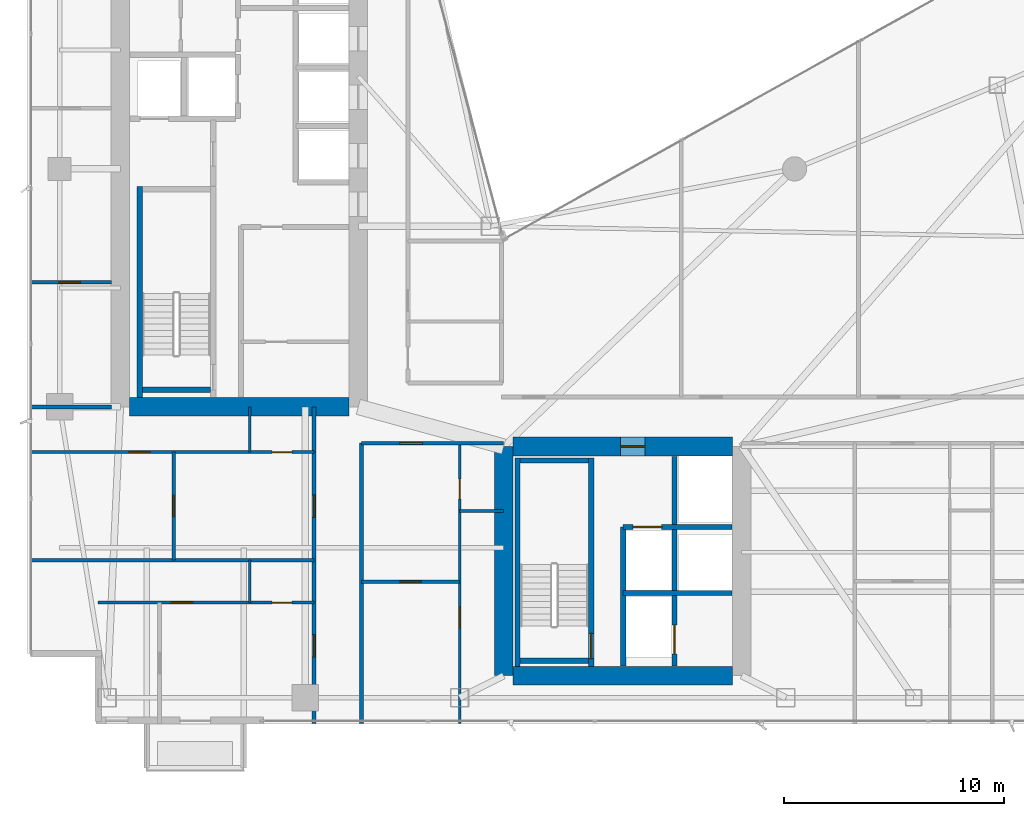
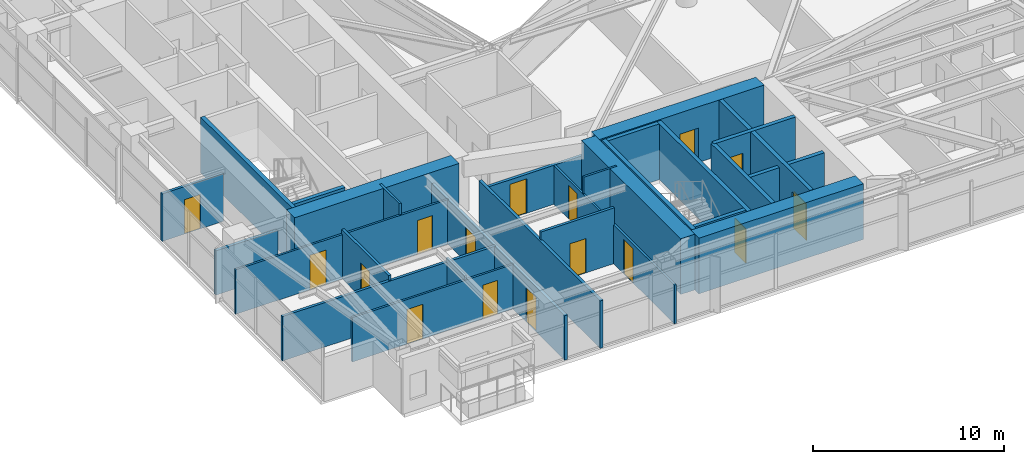
# One storey, part 22 of 29: 28 walls, 16 doors, 16 openings.
"""IFC4 building model written with IfcOpenShell, lengths in metres."""

from ifc_helpers import new_model, si_unit, direction, frame, frame_2d, origin, place, context, subcontext, project, spatial, rectangle, extrude, material, layer, layer_set, type_object, element, fill, save


model = new_model("IFC4")

# Units and contexts
model_context = context("Model", 3, precision=1e-05, world=origin(), true_north=direction((0.0, 1.0)))
body_context = subcontext(model_context, "Body", "Model", "MODEL_VIEW")
ifc_project = project(units=[si_unit("LENGTHUNIT", "METRE"), si_unit("AREAUNIT", "SQUARE_METRE"), si_unit("VOLUMEUNIT", "CUBIC_METRE"), si_unit("PLANEANGLEUNIT", "RADIAN"), si_unit("MASSUNIT", "GRAM", prefix="KILO")], contexts=[model_context])

# Site, building, storey
site_placement = place(None, origin())
site = spatial("IfcSite", under=ifc_project, at=site_placement, CompositionType="ELEMENT")
building_placement = place(site_placement, origin())
building = spatial("IfcBuilding", under=site, at=building_placement, Name="Calvorn Quay Hotel", CompositionType="ELEMENT")
storey_placement = place(building_placement, frame((0.0, 0.0, 120.199951171875)))
storey = spatial("IfcBuildingStorey", under=building, at=storey_placement, Name="L29", CompositionType="ELEMENT", Elevation=120.199951171875)

# Walls
ifc_material_1 = material(Name="Concrete C50", Category="concrete")
ifc_layer_1 = layer(ifc_material_1, 0.85009765625)
ifc_layer_set_1 = layer_set([ifc_layer_1], Name="WL-CORE-850")
wall_type_1 = type_object("IfcWallType", Name="WL-CORE-850", PredefinedType="SHEAR", material=ifc_layer_set_1)
wall_1_placement = place(storey_placement, frame((4.625, 16.800048828125, 0.0), z_axis=(0.0, 0.0, 1.0), x_axis=(1.0, 0.0, 0.0)))
element("IfcWall", 1, at=wall_1_placement, inside=storey, type_object=wall_type_1, Name="West Core Shear Wall S (L29)", PredefinedType="SHEAR", context=body_context, shape_type="SweptSolid", body=[
    extrude(rectangle(XDim=9.949951171875, YDim=0.85009765625, at=frame_2d((4.97509765625, 0.0))), origin(), (0.0, 0.0, 1.0), 3.56005859375),
])
wall_2_placement = place(storey_placement, frame((21.60009765625, 4.60009765625, 0.0), z_axis=(0.0, 0.0, 1.0), x_axis=(0.0, 1.0, 0.0)))
element("IfcWall", 2, at=wall_2_placement, inside=storey, type_object=wall_type_1, Name="East Core Shear Wall W (L29)", PredefinedType="SHEAR", context=body_context, shape_type="SweptSolid", body=[
    extrude(rectangle(XDim=10.39990234375, YDim=0.85009765625, at=frame_2d((5.199951171875, 0.0))), origin(), (0.0, 0.0, 1.0), 3.56005859375),
])

# Wall, opening, door
wall_3_placement = place(storey_placement, frame((22.02490234375, 15.0, 0.0), z_axis=(0.0, 0.0, 1.0), x_axis=(1.0, 0.0, 0.0)))
wall_3 = element("IfcWall", 3, at=wall_3_placement, inside=storey, type_object=wall_type_1, Name="East Core Shear Wall N (L29)", PredefinedType="SHEAR", context=body_context, shape_type="SweptSolid", body=[
    extrude(rectangle(XDim=9.9501953125, YDim=0.85009765625, at=frame_2d((4.97509765625, 0.0))), origin(), (0.0, 0.0, 1.0), 3.56005859375),
])
opening_1_placement = place(wall_3_placement, frame((4.8798828125, 0.0, 0.0)))
opening_1 = element("IfcOpeningElement", 4, at=opening_1_placement, cuts=wall_3, Name="Opening D-L29-FLE", PredefinedType="OPENING", context=body_context, shape_type="SweptSolid", body=[
    extrude(rectangle(XDim=1.10009765625, YDim=2.199951171875, at=frame_2d((0.550048828125, 1.10009765625))), frame((0.0, 0.43505859375, 0.0), z_axis=(0.0, -1.0, 0.0), x_axis=(1.0, 0.0, 0.0)), (0.0, 0.0, 1.0), 0.8701171875),
])
ifc_material_2 = material(Name="Smoke-Sealed Steel Class A Fire Door", Category="steel")
door_type_1 = type_object("IfcDoorType", Name="DR-FFLOBBY-1100", OperationType="NOTDEFINED", PredefinedType="DOOR", material=ifc_material_2)
door_1_placement = place(opening_1_placement, origin())
door_1 = element("IfcDoor", 5, at=door_1_placement, inside=storey, type_object=door_type_1, Name="East Firefighting Lobby Fire Door (L29)", OperationType="SINGLE_SWING_LEFT", OverallHeight=2.199951171875, OverallWidth=1.10009765625, PredefinedType="DOOR", context=body_context, shape_type="SweptSolid", body=[
    extrude(rectangle(XDim=1.10009765625, YDim=2.199951171875, at=frame_2d((0.550048828125, 1.10009765625))), frame((0.0, 0.02490234375, 0.0), z_axis=(0.0, -1.0, 0.0), x_axis=(1.0, 0.0, 0.0)), (0.0, 0.0, 1.0), 0.050048828125),
])
fill(opening_1, door_1)

# Walls
wall_4_placement = place(storey_placement, frame((22.02490234375, 4.60009765625, 0.0), z_axis=(0.0, 0.0, 1.0), x_axis=(1.0, 0.0, 0.0)))
element("IfcWall", 6, at=wall_4_placement, inside=storey, type_object=wall_type_1, Name="East Core Shear Wall S (L29)", PredefinedType="SHEAR", context=body_context, shape_type="SweptSolid", body=[
    extrude(rectangle(XDim=9.9501953125, YDim=0.85009765625, at=frame_2d((4.97509765625, 0.0))), origin(), (0.0, 0.0, 1.0), 3.56005859375),
])
ifc_material_3 = material(Name="Acoustic Fireboard Steel-Stud Partition", Category="steel")
ifc_layer_2 = layer(ifc_material_3, 0.179931640625)
ifc_layer_set_2 = layer_set([ifc_layer_2], Name="WL-CORR-FIRE-180")
wall_type_2 = type_object("IfcWallType", Name="WL-CORR-FIRE-180", PredefinedType="PARTITIONING", material=ifc_layer_set_2)
wall_5_placement = place(storey_placement, frame((0.080078125, 16.800048828125, 0.0), z_axis=(0.0, 0.0, 1.0), x_axis=(1.0, 0.0, 0.0)))
element("IfcWall", 7, at=wall_5_placement, inside=storey, type_object=wall_type_2, Name="Partition Wall L29-WL-WBAY-S-WALL", PredefinedType="PARTITIONING", context=body_context, shape_type="SweptSolid", body=[
    extrude(rectangle(XDim=3.724853515625, YDim=0.179931640625, at=frame_2d((1.8623046875, 0.0))), origin(), (0.0, 0.0, 1.0), 2.840087890625),
])

# Wall, openings, doors
wall_6_placement = place(storey_placement, frame((13.0, 2.43994140625, 0.0), z_axis=(0.0, 0.0, 1.0), x_axis=(0.0, 1.0, 0.0)))
wall_6 = element("IfcWall", 8, at=wall_6_placement, inside=storey, type_object=wall_type_2, Name="Partition Wall L29-WL-CORR-SW-LEG-W", PredefinedType="PARTITIONING", context=body_context, shape_type="SweptSolid", body=[
    extrude(rectangle(XDim=14.360107421875, YDim=0.179931640625, at=frame_2d((7.18017578125, 0.0))), origin(), (0.0, 0.0, 1.0), 2.840087890625),
])
opening_2_placement = place(wall_6_placement, frame((3.010009765625, 0.0, 0.0)))
opening_2 = element("IfcOpeningElement", 9, at=opening_2_placement, cuts=wall_6, Name="Opening D-L29-U01", PredefinedType="OPENING", context=body_context, shape_type="SweptSolid", body=[
    extrude(rectangle(XDim=1.02001953125, YDim=2.199951171875, at=frame_2d((0.510009765625, 1.10009765625))), frame((0.0, 0.099853515625, 0.0), z_axis=(0.0, -1.0, 0.0), x_axis=(1.0, 0.0, 0.0)), (0.0, 0.0, 1.0), 0.199951171875),
])
opening_3_placement = place(wall_6_placement, frame((9.35009765625, 0.0, 0.0)))
opening_3 = element("IfcOpeningElement", 10, at=opening_3_placement, cuts=wall_6, Name="Opening D-L29-U02", PredefinedType="OPENING", context=body_context, shape_type="SweptSolid", body=[
    extrude(rectangle(XDim=1.02001953125, YDim=2.199951171875, at=frame_2d((0.510009765625, 1.10009765625))), frame((0.0, 0.099853515625, 0.0), z_axis=(0.0, -1.0, 0.0), x_axis=(1.0, 0.0, 0.0)), (0.0, 0.0, 1.0), 0.199951171875),
])
ifc_material_4 = material(Name="Solid-Core Walnut Veneer Hotel Fire Door")
door_type_2 = type_object("IfcDoorType", Name="DR-GUEST-ENTRY-1020", OperationType="NOTDEFINED", PredefinedType="DOOR", material=ifc_material_4)
door_2_placement = place(opening_2_placement, origin())
door_2 = element("IfcDoor", 11, at=door_2_placement, inside=storey, type_object=door_type_2, Name="South-West Unit Door U01 (L29)", OperationType="SINGLE_SWING_LEFT", OverallHeight=2.199951171875, OverallWidth=1.02001953125, PredefinedType="DOOR", context=body_context, shape_type="SweptSolid", body=[
    extrude(rectangle(XDim=1.02001953125, YDim=2.199951171875, at=frame_2d((0.510009765625, 1.10009765625))), frame((0.0, 0.02490234375, 0.0), z_axis=(0.0, -1.0, 0.0), x_axis=(1.0, 0.0, 0.0)), (0.0, 0.0, 1.0), 0.050048828125),
])
fill(opening_2, door_2)
door_3_placement = place(opening_3_placement, origin())
door_3 = element("IfcDoor", 12, at=door_3_placement, inside=storey, type_object=door_type_2, Name="South-West Unit Door U02 (L29)", OperationType="SINGLE_SWING_RIGHT", OverallHeight=2.199951171875, OverallWidth=1.02001953125, PredefinedType="DOOR", context=body_context, shape_type="SweptSolid", body=[
    extrude(rectangle(XDim=1.02001953125, YDim=2.199951171875, at=frame_2d((0.510009765625, 1.10009765625))), frame((0.0, 0.02490234375, 0.0), z_axis=(0.0, -1.0, 0.0), x_axis=(1.0, 0.0, 0.0)), (0.0, 0.0, 1.0), 0.050048828125),
])
fill(opening_3, door_3)

# Wall
wall_7_placement = place(storey_placement, frame((15.14990234375, 2.43994140625, 0.0), z_axis=(0.0, 0.0, 1.0), x_axis=(0.0, 1.0, 0.0)))
element("IfcWall", 13, at=wall_7_placement, inside=storey, type_object=wall_type_2, Name="Partition Wall L29-WL-CORR-SW-W", PredefinedType="PARTITIONING", context=body_context, shape_type="SweptSolid", body=[
    extrude(rectangle(XDim=12.7099609375, YDim=0.179931640625, at=frame_2d((6.35498046875, 0.0))), origin(), (0.0, 0.0, 1.0), 3.0400390625),
])

# Wall, opening, door
wall_8_placement = place(storey_placement, frame((15.14990234375, 15.14990234375, 0.0), z_axis=(0.0, 0.0, 1.0), x_axis=(1.0, 0.0, 0.0)))
wall_8 = element("IfcWall", 14, at=wall_8_placement, inside=storey, type_object=wall_type_2, Name="Partition Wall L29-WL-SC-CORR-S", PredefinedType="PARTITIONING", context=body_context, shape_type="SweptSolid", body=[
    extrude(rectangle(XDim=6.4501953125, YDim=0.179931640625, at=frame_2d((3.22509765625, 0.0))), origin(), (0.0, 0.0, 1.0), 2.489990234375),
])
opening_4_placement = place(wall_8_placement, frame((1.739990234375, 0.0, 0.0)))
opening_4 = element("IfcOpeningElement", 15, at=opening_4_placement, cuts=wall_8, Name="Opening D-L29-U03", PredefinedType="OPENING", context=body_context, shape_type="SweptSolid", body=[
    extrude(rectangle(XDim=1.02001953125, YDim=2.199951171875, at=frame_2d((0.510009765625, 1.10009765625))), frame((0.0, 0.099853515625, 0.0), z_axis=(0.0, -1.0, 0.0), x_axis=(1.0, 0.0, 0.0)), (0.0, 0.0, 1.0), 0.199951171875),
])
door_4_placement = place(opening_4_placement, origin())
door_4 = element("IfcDoor", 16, at=door_4_placement, inside=storey, type_object=door_type_2, Name="Harbour Central Unit Door (L29)", OperationType="SINGLE_SWING_LEFT", OverallHeight=2.199951171875, OverallWidth=1.02001953125, PredefinedType="DOOR", context=body_context, shape_type="SweptSolid", body=[
    extrude(rectangle(XDim=1.02001953125, YDim=2.199951171875, at=frame_2d((0.510009765625, 1.10009765625))), frame((0.0, 0.02490234375, 0.0), z_axis=(0.0, -1.0, 0.0), x_axis=(1.0, 0.0, 0.0)), (0.0, 0.0, 1.0), 0.050048828125),
])
fill(opening_4, door_4)

# Wall
ifc_material_5 = material(Name="Moisture-Resistant Tile-Backed Partition")
ifc_layer_3 = layer(ifc_material_5, 0.125)
ifc_layer_set_3 = layer_set([ifc_layer_3], Name="WL-ENSUITE-125")
wall_type_3 = type_object("IfcWallType", Name="WL-ENSUITE-125", PredefinedType="PARTITIONING", material=ifc_layer_set_3)
wall_9_placement = place(storey_placement, frame((10.080078125, 7.919921875, 0.0), z_axis=(0.0, 0.0, 1.0), x_axis=(0.0, 1.0, 0.0)))
element("IfcWall", 17, at=wall_9_placement, inside=storey, type_object=wall_type_3, Name="Partition Wall L29-WL-U01-BDV", PredefinedType="PARTITIONING", context=body_context, shape_type="SweptSolid", body=[
    extrude(rectangle(XDim=1.93017578125, YDim=0.125, at=frame_2d((0.965087890625, 0.0))), origin(), (0.0, 0.0, 1.0), 3.090087890625),
])

# Wall, openings, doors
wall_10_placement = place(storey_placement, frame((3.199951171875, 7.919921875, 0.0), z_axis=(0.0, 0.0, 1.0), x_axis=(1.0, 0.0, 0.0)))
wall_10 = element("IfcWall", 18, at=wall_10_placement, inside=storey, type_object=wall_type_3, Name="Partition Wall L29-WL-U01-BH", PredefinedType="PARTITIONING", context=body_context, shape_type="SweptSolid", body=[
    extrude(rectangle(XDim=9.800048828125, YDim=0.125, at=frame_2d((4.89990234375, 0.0))), origin(), (0.0, 0.0, 1.0), 2.840087890625),
])
opening_5_placement = place(wall_10_placement, frame((3.320068359375, 0.0, 0.0)))
opening_5 = element("IfcOpeningElement", 19, at=opening_5_placement, cuts=wall_10, Name="Opening D-L29-S01", PredefinedType="OPENING", context=body_context, shape_type="SweptSolid", body=[
    extrude(rectangle(XDim=0.9599609375, YDim=2.199951171875, at=frame_2d((0.47998046875, 1.10009765625))), frame((0.0, 0.072509765625, 0.0), z_axis=(0.0, -1.0, 0.0), x_axis=(1.0, 0.0, 0.0)), (0.0, 0.0, 1.0), 0.14501953125),
])
opening_6_placement = place(wall_10_placement, frame((7.889892578125, 0.0, 0.0)))
opening_6 = element("IfcOpeningElement", 20, at=opening_6_placement, cuts=wall_10, Name="Opening D-L29-E01", PredefinedType="OPENING", context=body_context, shape_type="SweptSolid", body=[
    extrude(rectangle(XDim=0.89990234375, YDim=2.14990234375, at=frame_2d((0.449951171875, 1.074951171875))), frame((0.0, 0.072509765625, 0.0), z_axis=(0.0, -1.0, 0.0), x_axis=(1.0, 0.0, 0.0)), (0.0, 0.0, 1.0), 0.14501953125),
])
ifc_material_6 = material(Name="Moisture-Sealed Timber En-Suite Door", Category="wood")
door_type_3 = type_object("IfcDoorType", Name="DR-ENSUITE-900", OperationType="NOTDEFINED", PredefinedType="DOOR", material=ifc_material_6)
door_5_placement = place(opening_6_placement, origin())
door_5 = element("IfcDoor", 21, at=door_5_placement, inside=storey, type_object=door_type_3, Name="En-Suite Door 01", OperationType="SINGLE_SWING_RIGHT", OverallHeight=2.14990234375, OverallWidth=0.89990234375, PredefinedType="DOOR", context=body_context, shape_type="SweptSolid", body=[
    extrude(rectangle(XDim=0.89990234375, YDim=2.14990234375, at=frame_2d((0.449951171875, 1.074951171875))), frame((0.0, 0.02490234375, 0.0), z_axis=(0.0, -1.0, 0.0), x_axis=(1.0, 0.0, 0.0)), (0.0, 0.0, 1.0), 0.050048828125),
])
fill(opening_6, door_5)
ifc_material_7 = material(Name="Solid Timber Internal Suite Door", Category="wood")
door_type_4 = type_object("IfcDoorType", Name="DR-SUITE-INT-960", OperationType="NOTDEFINED", PredefinedType="DOOR", material=ifc_material_7)
door_6_placement = place(opening_5_placement, origin())
door_6 = element("IfcDoor", 22, at=door_6_placement, inside=storey, type_object=door_type_4, Name="Harbour Tea Room Door 01", OperationType="SINGLE_SWING_LEFT", OverallHeight=2.199951171875, OverallWidth=0.9599609375, PredefinedType="DOOR", context=body_context, shape_type="SweptSolid", body=[
    extrude(rectangle(XDim=0.9599609375, YDim=2.199951171875, at=frame_2d((0.47998046875, 1.10009765625))), frame((0.0, 0.02490234375, 0.0), z_axis=(0.0, -1.0, 0.0), x_axis=(1.0, 0.0, 0.0)), (0.0, 0.0, 1.0), 0.050048828125),
])
fill(opening_5, door_6)

# Wall
wall_11_placement = place(storey_placement, frame((10.080078125, 14.75, 0.0), z_axis=(0.0, 0.0, 1.0), x_axis=(0.0, 1.0, 0.0)))
element("IfcWall", 23, at=wall_11_placement, inside=storey, type_object=wall_type_3, Name="Partition Wall L29-WL-U02-BDV", PredefinedType="PARTITIONING", context=body_context, shape_type="SweptSolid", body=[
    extrude(rectangle(XDim=2.050048828125, YDim=0.125, at=frame_2d((1.02490234375, 0.0))), origin(), (0.0, 0.0, 1.0), 3.56005859375),
])

# Wall, openings, doors
wall_12_placement = place(storey_placement, frame((0.080078125, 14.75, 0.0), z_axis=(0.0, 0.0, 1.0), x_axis=(1.0, 0.0, 0.0)))
wall_12 = element("IfcWall", 24, at=wall_12_placement, inside=storey, type_object=wall_type_3, Name="Partition Wall L29-WL-U02-BH", PredefinedType="PARTITIONING", context=body_context, shape_type="SweptSolid", body=[
    extrude(rectangle(XDim=12.919921875, YDim=0.125, at=frame_2d((6.4599609375, 0.0))), origin(), (0.0, 0.0, 1.0), 2.840087890625),
])
opening_7_placement = place(wall_12_placement, frame((4.52001953125, 0.0, 0.0)))
opening_7 = element("IfcOpeningElement", 25, at=opening_7_placement, cuts=wall_12, Name="Opening D-L29-S02", PredefinedType="OPENING", context=body_context, shape_type="SweptSolid", body=[
    extrude(rectangle(XDim=0.9599609375, YDim=2.199951171875, at=frame_2d((0.47998046875, 1.10009765625))), frame((0.0, 0.072509765625, 0.0), z_axis=(0.0, -1.0, 0.0), x_axis=(1.0, 0.0, 0.0)), (0.0, 0.0, 1.0), 0.14501953125),
])
opening_8_placement = place(wall_12_placement, frame((11.010009765625, 0.0, 0.0)))
opening_8 = element("IfcOpeningElement", 26, at=opening_8_placement, cuts=wall_12, Name="Opening D-L29-E02", PredefinedType="OPENING", context=body_context, shape_type="SweptSolid", body=[
    extrude(rectangle(XDim=0.89990234375, YDim=2.14990234375, at=frame_2d((0.449951171875, 1.074951171875))), frame((0.0, 0.072509765625, 0.0), z_axis=(0.0, -1.0, 0.0), x_axis=(1.0, 0.0, 0.0)), (0.0, 0.0, 1.0), 0.14501953125),
])
door_7_placement = place(opening_8_placement, origin())
door_7 = element("IfcDoor", 27, at=door_7_placement, inside=storey, type_object=door_type_3, Name="En-Suite Door 02", OperationType="SINGLE_SWING_RIGHT", OverallHeight=2.14990234375, OverallWidth=0.89990234375, PredefinedType="DOOR", context=body_context, shape_type="SweptSolid", body=[
    extrude(rectangle(XDim=0.89990234375, YDim=2.14990234375, at=frame_2d((0.449951171875, 1.074951171875))), frame((0.0, 0.02490234375, 0.0), z_axis=(0.0, -1.0, 0.0), x_axis=(1.0, 0.0, 0.0)), (0.0, 0.0, 1.0), 0.050048828125),
])
fill(opening_8, door_7)
door_8_placement = place(opening_7_placement, origin())
door_8 = element("IfcDoor", 28, at=door_8_placement, inside=storey, type_object=door_type_4, Name="Harbour Tea Room Door 02", OperationType="SINGLE_SWING_LEFT", OverallHeight=2.199951171875, OverallWidth=0.9599609375, PredefinedType="DOOR", context=body_context, shape_type="SweptSolid", body=[
    extrude(rectangle(XDim=0.9599609375, YDim=2.199951171875, at=frame_2d((0.47998046875, 1.10009765625))), frame((0.0, 0.02490234375, 0.0), z_axis=(0.0, -1.0, 0.0), x_axis=(1.0, 0.0, 0.0)), (0.0, 0.0, 1.0), 0.050048828125),
])
fill(opening_7, door_8)

# Wall
wall_13_placement = place(storey_placement, frame((19.60009765625, 12.070068359375, 0.0), z_axis=(0.0, 0.0, 1.0), x_axis=(1.0, 0.0, 0.0)))
element("IfcWall", 29, at=wall_13_placement, inside=storey, type_object=wall_type_3, Name="Partition Wall L29-WL-U03-BDV", PredefinedType="PARTITIONING", context=body_context, shape_type="SweptSolid", body=[
    extrude(rectangle(XDim=2.0, YDim=0.125, at=frame_2d((1.0, 0.0))), origin(), (0.0, 0.0, 1.0), 3.56005859375),
])

# Wall, openings, doors
wall_14_placement = place(storey_placement, frame((19.60009765625, 2.43994140625, 0.0), z_axis=(0.0, 0.0, 1.0), x_axis=(0.0, 1.0, 0.0)))
wall_14 = element("IfcWall", 30, at=wall_14_placement, inside=storey, type_object=wall_type_3, Name="Partition Wall L29-WL-U03-BV", PredefinedType="PARTITIONING", context=body_context, shape_type="SweptSolid", body=[
    extrude(rectangle(XDim=12.7099609375, YDim=0.125, at=frame_2d((6.35498046875, 0.0))), origin(), (0.0, 0.0, 1.0), 2.489990234375),
])
opening_9_placement = place(wall_14_placement, frame((4.340087890625, 0.0, 0.0)))
opening_9 = element("IfcOpeningElement", 31, at=opening_9_placement, cuts=wall_14, Name="Opening D-L29-S03", PredefinedType="OPENING", context=body_context, shape_type="SweptSolid", body=[
    extrude(rectangle(XDim=0.9599609375, YDim=2.199951171875, at=frame_2d((0.47998046875, 1.10009765625))), frame((0.0, 0.072509765625, 0.0), z_axis=(0.0, -1.0, 0.0), x_axis=(1.0, 0.0, 0.0)), (0.0, 0.0, 1.0), 0.14501953125),
])
opening_10_placement = place(wall_14_placement, frame((10.179931640625, 0.0, 0.0)))
opening_10 = element("IfcOpeningElement", 32, at=opening_10_placement, cuts=wall_14, Name="Opening D-L29-E03", PredefinedType="OPENING", context=body_context, shape_type="SweptSolid", body=[
    extrude(rectangle(XDim=0.89990234375, YDim=2.14990234375, at=frame_2d((0.449951171875, 1.074951171875))), frame((0.0, 0.072509765625, 0.0), z_axis=(0.0, -1.0, 0.0), x_axis=(1.0, 0.0, 0.0)), (0.0, 0.0, 1.0), 0.14501953125),
])
door_9_placement = place(opening_10_placement, origin())
door_9 = element("IfcDoor", 33, at=door_9_placement, inside=storey, type_object=door_type_3, Name="En-Suite Door 03", OperationType="SINGLE_SWING_RIGHT", OverallHeight=2.14990234375, OverallWidth=0.89990234375, PredefinedType="DOOR", context=body_context, shape_type="SweptSolid", body=[
    extrude(rectangle(XDim=0.89990234375, YDim=2.14990234375, at=frame_2d((0.449951171875, 1.074951171875))), frame((0.0, 0.02490234375, 0.0), z_axis=(0.0, -1.0, 0.0), x_axis=(1.0, 0.0, 0.0)), (0.0, 0.0, 1.0), 0.050048828125),
])
fill(opening_10, door_9)
door_10_placement = place(opening_9_placement, origin())
door_10 = element("IfcDoor", 34, at=door_10_placement, inside=storey, type_object=door_type_4, Name="Harbour Tea Room Door 03", OperationType="SINGLE_SWING_LEFT", OverallHeight=2.199951171875, OverallWidth=0.9599609375, PredefinedType="DOOR", context=body_context, shape_type="SweptSolid", body=[
    extrude(rectangle(XDim=0.9599609375, YDim=2.199951171875, at=frame_2d((0.47998046875, 1.10009765625))), frame((0.0, 0.02490234375, 0.0), z_axis=(0.0, -1.0, 0.0), x_axis=(1.0, 0.0, 0.0)), (0.0, 0.0, 1.0), 0.050048828125),
])
fill(opening_9, door_10)

# Wall, opening, door
ifc_material_8 = material(Name="Double-Stud Acoustic Gypsum Partition")
ifc_layer_4 = layer(ifc_material_8, 0.159912109375)
ifc_layer_set_4 = layer_set([ifc_layer_4], Name="WL-INTERSUITE-160")
wall_type_4 = type_object("IfcWallType", Name="WL-INTERSUITE-160", PredefinedType="PARTITIONING", material=ifc_layer_set_4)
wall_15_placement = place(storey_placement, frame((0.080078125, 22.449951171875, 0.0), z_axis=(0.0, 0.0, 1.0), x_axis=(1.0, 0.0, 0.0)))
wall_15 = element("IfcWall", 35, at=wall_15_placement, inside=storey, type_object=wall_type_4, Name="Partition Wall L29-WL-WBAY-DIVA", PredefinedType="PARTITIONING", context=body_context, shape_type="SweptSolid", body=[
    extrude(rectangle(XDim=3.724853515625, YDim=0.159912109375, at=frame_2d((1.8623046875, 0.0))), origin(), (0.0, 0.0, 1.0), 3.0400390625),
])
opening_11_placement = place(wall_15_placement, frame((1.35009765625, 0.0, 0.0)))
opening_11 = element("IfcOpeningElement", 36, at=opening_11_placement, cuts=wall_15, Name="Opening D-L29-WBA", PredefinedType="OPENING", context=body_context, shape_type="SweptSolid", body=[
    extrude(rectangle(XDim=0.9599609375, YDim=2.199951171875, at=frame_2d((0.47998046875, 1.10009765625))), frame((0.0, 0.08984375, 0.0), z_axis=(0.0, -1.0, 0.0), x_axis=(1.0, 0.0, 0.0)), (0.0, 0.0, 1.0), 0.179931640625),
])
door_11_placement = place(opening_11_placement, origin())
door_11 = element("IfcDoor", 37, at=door_11_placement, inside=storey, type_object=door_type_4, Name="West South Connecting Door (L29)", OperationType="SINGLE_SWING_LEFT", OverallHeight=2.199951171875, OverallWidth=0.9599609375, PredefinedType="DOOR", context=body_context, shape_type="SweptSolid", body=[
    extrude(rectangle(XDim=0.9599609375, YDim=2.199951171875, at=frame_2d((0.47998046875, 1.10009765625))), frame((0.0, 0.02490234375, 0.0), z_axis=(0.0, -1.0, 0.0), x_axis=(1.0, 0.0, 0.0)), (0.0, 0.0, 1.0), 0.050048828125),
])
fill(opening_11, door_11)

wall_16_placement = place(storey_placement, frame((6.6201171875, 9.85009765625, 0.0), z_axis=(0.0, 0.0, 1.0), x_axis=(0.0, 1.0, 0.0)))
wall_16 = element("IfcWall", 38, at=wall_16_placement, inside=storey, type_object=wall_type_4, Name="Partition Wall L29-WL-U02-MSP", PredefinedType="PARTITIONING", context=body_context, shape_type="SweptSolid", body=[
    extrude(rectangle(XDim=4.89990234375, YDim=0.159912109375, at=frame_2d((2.449951171875, 0.0))), origin(), (0.0, 0.0, 1.0), 3.14013671875),
])
opening_12_placement = place(wall_16_placement, frame((1.969970703125, 0.0, 0.0)))
opening_12 = element("IfcOpeningElement", 39, at=opening_12_placement, cuts=wall_16, Name="Opening D-L29-M02", PredefinedType="OPENING", context=body_context, shape_type="SweptSolid", body=[
    extrude(rectangle(XDim=0.9599609375, YDim=2.199951171875, at=frame_2d((0.47998046875, 1.10009765625))), frame((0.0, 0.08984375, 0.0), z_axis=(0.0, -1.0, 0.0), x_axis=(1.0, 0.0, 0.0)), (0.0, 0.0, 1.0), 0.179931640625),
])
door_12_placement = place(opening_12_placement, origin())
door_12 = element("IfcDoor", 40, at=door_12_placement, inside=storey, type_object=door_type_4, Name="Suite Bedroom Door 02", OperationType="SINGLE_SWING_LEFT", OverallHeight=2.199951171875, OverallWidth=0.9599609375, PredefinedType="DOOR", context=body_context, shape_type="SweptSolid", body=[
    extrude(rectangle(XDim=0.9599609375, YDim=2.199951171875, at=frame_2d((0.47998046875, 1.10009765625))), frame((0.0, 0.02490234375, 0.0), z_axis=(0.0, -1.0, 0.0), x_axis=(1.0, 0.0, 0.0)), (0.0, 0.0, 1.0), 0.050048828125),
])
fill(opening_12, door_12)

# Wall
wall_17_placement = place(storey_placement, frame((0.080078125, 9.85009765625, 0.0), z_axis=(0.0, 0.0, 1.0), x_axis=(1.0, 0.0, 0.0)))
element("IfcWall", 41, at=wall_17_placement, inside=storey, type_object=wall_type_4, Name="Partition Wall L29-WL-SW-DIV-1", PredefinedType="PARTITIONING", context=body_context, shape_type="SweptSolid", body=[
    extrude(rectangle(XDim=12.919921875, YDim=0.159912109375, at=frame_2d((6.4599609375, 0.0))), origin(), (0.0, 0.0, 1.0), 2.840087890625),
])

# Wall, opening, door
wall_18_placement = place(storey_placement, frame((15.14990234375, 8.8701171875, 0.0), z_axis=(0.0, 0.0, 1.0), x_axis=(1.0, 0.0, 0.0)))
wall_18 = element("IfcWall", 42, at=wall_18_placement, inside=storey, type_object=wall_type_4, Name="Partition Wall L29-WL-U03-MSP", PredefinedType="PARTITIONING", context=body_context, shape_type="SweptSolid", body=[
    extrude(rectangle(XDim=4.4501953125, YDim=0.159912109375, at=frame_2d((2.22509765625, 0.0))), origin(), (0.0, 0.0, 1.0), 3.56005859375),
])
opening_13_placement = place(wall_18_placement, frame((1.75, 0.0, 0.0)))
opening_13 = element("IfcOpeningElement", 43, at=opening_13_placement, cuts=wall_18, Name="Opening D-L29-M03", PredefinedType="OPENING", context=body_context, shape_type="SweptSolid", body=[
    extrude(rectangle(XDim=0.9599609375, YDim=2.199951171875, at=frame_2d((0.47998046875, 1.10009765625))), frame((0.0, 0.08984375, 0.0), z_axis=(0.0, -1.0, 0.0), x_axis=(1.0, 0.0, 0.0)), (0.0, 0.0, 1.0), 0.179931640625),
])
door_13_placement = place(opening_13_placement, origin())
door_13 = element("IfcDoor", 44, at=door_13_placement, inside=storey, type_object=door_type_4, Name="Suite Bedroom Door 03", OperationType="SINGLE_SWING_LEFT", OverallHeight=2.199951171875, OverallWidth=0.9599609375, PredefinedType="DOOR", context=body_context, shape_type="SweptSolid", body=[
    extrude(rectangle(XDim=0.9599609375, YDim=2.199951171875, at=frame_2d((0.47998046875, 1.10009765625))), frame((0.0, 0.02490234375, 0.0), z_axis=(0.0, -1.0, 0.0), x_axis=(1.0, 0.0, 0.0)), (0.0, 0.0, 1.0), 0.050048828125),
])
fill(opening_13, door_13)

# Walls
ifc_material_9 = material(Name="Concrete C40", Category="concrete")
ifc_layer_5 = layer(ifc_material_9, 0.239990234375)
ifc_layer_set_5 = layer_set([ifc_layer_5], Name="WL-SHAFT-240")
wall_type_5 = type_object("IfcWallType", Name="WL-SHAFT-240", PredefinedType="SOLIDWALL", material=ifc_layer_set_5)
wall_19_placement = place(storey_placement, frame((5.080078125, 17.22509765625, 0.0), z_axis=(0.0, 0.0, 1.0), x_axis=(0.0, 1.0, 0.0)))
element("IfcWall", 45, at=wall_19_placement, inside=storey, type_object=wall_type_5, Name="Stair STW Shaft Wall W (L29)", PredefinedType="SOLIDWALL", context=body_context, shape_type="SweptSolid", body=[
    extrude(rectangle(XDim=9.56494140625, YDim=0.239990234375, at=frame_2d((4.782470703125, 0.0))), origin(), (0.0, 0.0, 1.0), 3.56005859375),
])
wall_20_placement = place(storey_placement, frame((5.199951171875, 17.580078125, 0.0), z_axis=(0.0, 0.0, 1.0), x_axis=(1.0, 0.0, 0.0)))
element("IfcWall", 46, at=wall_20_placement, inside=storey, type_object=wall_type_5, Name="Stair STW Shaft Wall S (L29)", PredefinedType="SOLIDWALL", context=body_context, shape_type="SweptSolid", body=[
    extrude(rectangle(XDim=3.10009765625, YDim=0.239990234375, at=frame_2d((1.550048828125, 0.0))), origin(), (0.0, 0.0, 1.0), 3.56005859375),
])
wall_21_placement = place(storey_placement, frame((22.22998046875, 5.02490234375, 0.0), z_axis=(0.0, 0.0, 1.0), x_axis=(0.0, 1.0, 0.0)))
element("IfcWall", 47, at=wall_21_placement, inside=storey, type_object=wall_type_5, Name="Stair STE Shaft Wall W (L29)", PredefinedType="SOLIDWALL", context=body_context, shape_type="SweptSolid", body=[
    extrude(rectangle(XDim=9.465087890625, YDim=0.239990234375, at=frame_2d((4.732421875, 0.0))), origin(), (0.0, 0.0, 1.0), 3.56005859375),
])

# Wall, opening, door
wall_22_placement = place(storey_placement, frame((25.570068359375, 5.02490234375, 0.0), z_axis=(0.0, 0.0, 1.0), x_axis=(0.0, 1.0, 0.0)))
wall_22 = element("IfcWall", 48, at=wall_22_placement, inside=storey, type_object=wall_type_5, Name="Stair STE Shaft Wall E (L29)", PredefinedType="SOLIDWALL", context=body_context, shape_type="SweptSolid", body=[
    extrude(rectangle(XDim=9.465087890625, YDim=0.239990234375, at=frame_2d((4.732421875, 0.0))), origin(), (0.0, 0.0, 1.0), 3.56005859375),
])
opening_14_placement = place(wall_22_placement, frame((0.35009765625, 0.0, 0.0)))
opening_14 = element("IfcOpeningElement", 49, at=opening_14_placement, cuts=wall_22, Name="Opening D-L29-STE", PredefinedType="OPENING", context=body_context, shape_type="SweptSolid", body=[
    extrude(rectangle(XDim=1.14990234375, YDim=2.199951171875, at=frame_2d((0.574951171875, 1.10009765625))), frame((0.0, 0.1298828125, 0.0), z_axis=(0.0, -1.0, 0.0), x_axis=(1.0, 0.0, 0.0)), (0.0, 0.0, 1.0), 0.260009765625),
])
ifc_material_10 = material(Name="Galvanised Steel Class A Fire Door", Category="steel")
door_type_5 = type_object("IfcDoorType", Name="DR-STAIR-SMOKE-1150", OperationType="NOTDEFINED", PredefinedType="DOOR", material=ifc_material_10)
door_14_placement = place(opening_14_placement, origin())
door_14 = element("IfcDoor", 50, at=door_14_placement, inside=storey, type_object=door_type_5, Name="Stair ST-E Fire Door (L29)", OperationType="SINGLE_SWING_RIGHT", OverallHeight=2.199951171875, OverallWidth=1.14990234375, PredefinedType="DOOR", context=body_context, shape_type="SweptSolid", body=[
    extrude(rectangle(XDim=1.14990234375, YDim=2.199951171875, at=frame_2d((0.574951171875, 1.10009765625))), frame((0.0, 0.02490234375, 0.0), z_axis=(0.0, -1.0, 0.0), x_axis=(1.0, 0.0, 0.0)), (0.0, 0.0, 1.0), 0.050048828125),
])
fill(opening_14, door_14)

# Walls
for number, where, z_axis, x_axis, name in (
    (51, (22.35009765625, 5.280029296875, 0.0), (0.0, 0.0, 1.0), (1.0, 0.0, 0.0), "Stair STE Shaft Wall S (L29)"),
    (52, (22.35009765625, 14.3701171875, 0.0), (0.0, 0.0, 1.0), (1.0, 0.0, 0.0), "Stair STE Shaft Wall N (L29)"),
):
    element("IfcWall", number, at=place(storey_placement, frame(where, z_axis=z_axis, x_axis=x_axis)), inside=storey, type_object=wall_type_5, Name=name, PredefinedType="SOLIDWALL", context=body_context, shape_type="SweptSolid", body=[
        extrude(rectangle(XDim=3.099853515625, YDim=0.239990234375, at=frame_2d((1.5498046875, 0.0))), origin(), (0.0, 0.0, 1.0), 3.56005859375),
    ])
wall_23_placement = place(storey_placement, frame((27.02001953125, 5.044921875, 0.0), z_axis=(0.0, 0.0, 1.0), x_axis=(0.0, 1.0, 0.0)))
element("IfcWall", 53, at=wall_23_placement, inside=storey, type_object=wall_type_5, Name="Partition Wall L29-WL-CWE-SH-W", PredefinedType="SOLIDWALL", context=body_context, shape_type="SweptSolid", body=[
    extrude(rectangle(XDim=6.30517578125, YDim=0.239990234375, at=frame_2d((3.152587890625, 0.0))), origin(), (0.0, 0.0, 1.0), 3.56005859375),
])

# Wall, opening, door
wall_24_placement = place(storey_placement, frame((27.02001953125, 11.35009765625, 0.0), z_axis=(0.0, 0.0, 1.0), x_axis=(1.0, 0.0, 0.0)))
wall_24 = element("IfcWall", 54, at=wall_24_placement, inside=storey, type_object=wall_type_5, Name="Partition Wall L29-WL-CWE-FFL-S", PredefinedType="SOLIDWALL", context=body_context, shape_type="SweptSolid", body=[
    extrude(rectangle(XDim=4.93505859375, YDim=0.239990234375, at=frame_2d((2.467529296875, 0.0))), origin(), (0.0, 0.0, 1.0), 3.56005859375),
])
opening_15_placement = place(wall_24_placement, frame((0.449951171875, 0.0, 0.0)))
opening_15 = element("IfcOpeningElement", 55, at=opening_15_placement, cuts=wall_24, Name="Opening LD-L29-FLE1", PredefinedType="OPENING", context=body_context, shape_type="SweptSolid", body=[
    extrude(rectangle(XDim=1.300048828125, YDim=2.35009765625, at=frame_2d((0.64990234375, 1.175048828125))), frame((0.0, 0.1298828125, 0.0), z_axis=(0.0, -1.0, 0.0), x_axis=(1.0, 0.0, 0.0)), (0.0, 0.0, 1.0), 0.260009765625),
])
ifc_material_11 = material(Name="Champagne-Bronze Sliding Express Lift Landing Door")
door_type_6 = type_object("IfcDoorType", Name="DR-LIFT-SHUTTLE-1300", OperationType="NOTDEFINED", PredefinedType="DOOR", material=ifc_material_11)
door_15_placement = place(opening_15_placement, origin())
door_15 = element("IfcDoor", 56, at=door_15_placement, inside=storey, type_object=door_type_6, Name="Firefighting Lift FL-E1 Landing Door (L29)", OperationType="DOUBLE_DOOR_SLIDING", OverallHeight=2.35009765625, OverallWidth=1.300048828125, PredefinedType="DOOR", context=body_context, shape_type="SweptSolid", body=[
    extrude(rectangle(XDim=1.300048828125, YDim=2.35009765625, at=frame_2d((0.64990234375, 1.175048828125))), frame((0.0, 0.02490234375, 0.0), z_axis=(0.0, -1.0, 0.0), x_axis=(1.0, 0.0, 0.0)), (0.0, 0.0, 1.0), 0.050048828125),
])
fill(opening_15, door_15)

# Wall
wall_25_placement = place(storey_placement, frame((27.02001953125, 8.35009765625, 0.0), z_axis=(0.0, 0.0, 1.0), x_axis=(1.0, 0.0, 0.0)))
element("IfcWall", 57, at=wall_25_placement, inside=storey, type_object=wall_type_5, Name="Partition Wall L29-WL-CWE-SL-N", PredefinedType="SOLIDWALL", context=body_context, shape_type="SweptSolid", body=[
    extrude(rectangle(XDim=4.93505859375, YDim=0.239990234375, at=frame_2d((2.467529296875, 0.0))), origin(), (0.0, 0.0, 1.0), 3.090087890625),
])

# Wall, opening, door
wall_26_placement = place(storey_placement, frame((29.35009765625, 5.044921875, 0.0), z_axis=(0.0, 0.0, 1.0), x_axis=(0.0, 1.0, 0.0)))
wall_26 = element("IfcWall", 58, at=wall_26_placement, inside=storey, type_object=wall_type_5, Name="Partition Wall L29-WL-CWE-OB-W", PredefinedType="SOLIDWALL", context=body_context, shape_type="SweptSolid", body=[
    extrude(rectangle(XDim=9.510009765625, YDim=0.239990234375, at=frame_2d((4.7548828125, 0.0))), origin(), (0.0, 0.0, 1.0), 3.56005859375),
])
opening_16_placement = place(wall_26_placement, frame((0.550048828125, 0.0, 0.0)))
opening_16 = element("IfcOpeningElement", 59, at=opening_16_placement, cuts=wall_26, Name="Opening LD-L29-SLEI", PredefinedType="OPENING", context=body_context, shape_type="SweptSolid", body=[
    extrude(rectangle(XDim=1.300048828125, YDim=2.35009765625, at=frame_2d((0.64990234375, 1.175048828125))), frame((0.0, 0.1298828125, 0.0), z_axis=(0.0, -1.0, 0.0), x_axis=(1.0, 0.0, 0.0)), (0.0, 0.0, 1.0), 0.260009765625),
])
door_16_placement = place(opening_16_placement, origin())
door_16 = element("IfcDoor", 60, at=door_16_placement, inside=storey, type_object=door_type_6, Name="Service Lift SL-E1 Landing Door (L29)", OperationType="DOUBLE_DOOR_SLIDING", OverallHeight=2.35009765625, OverallWidth=1.300048828125, PredefinedType="DOOR", context=body_context, shape_type="SweptSolid", body=[
    extrude(rectangle(XDim=1.300048828125, YDim=2.35009765625, at=frame_2d((0.64990234375, 1.175048828125))), frame((0.0, 0.02490234375, 0.0), z_axis=(0.0, -1.0, 0.0), x_axis=(1.0, 0.0, 0.0)), (0.0, 0.0, 1.0), 0.050048828125),
])
fill(opening_16, door_16)

save(model, "model.ifc")
